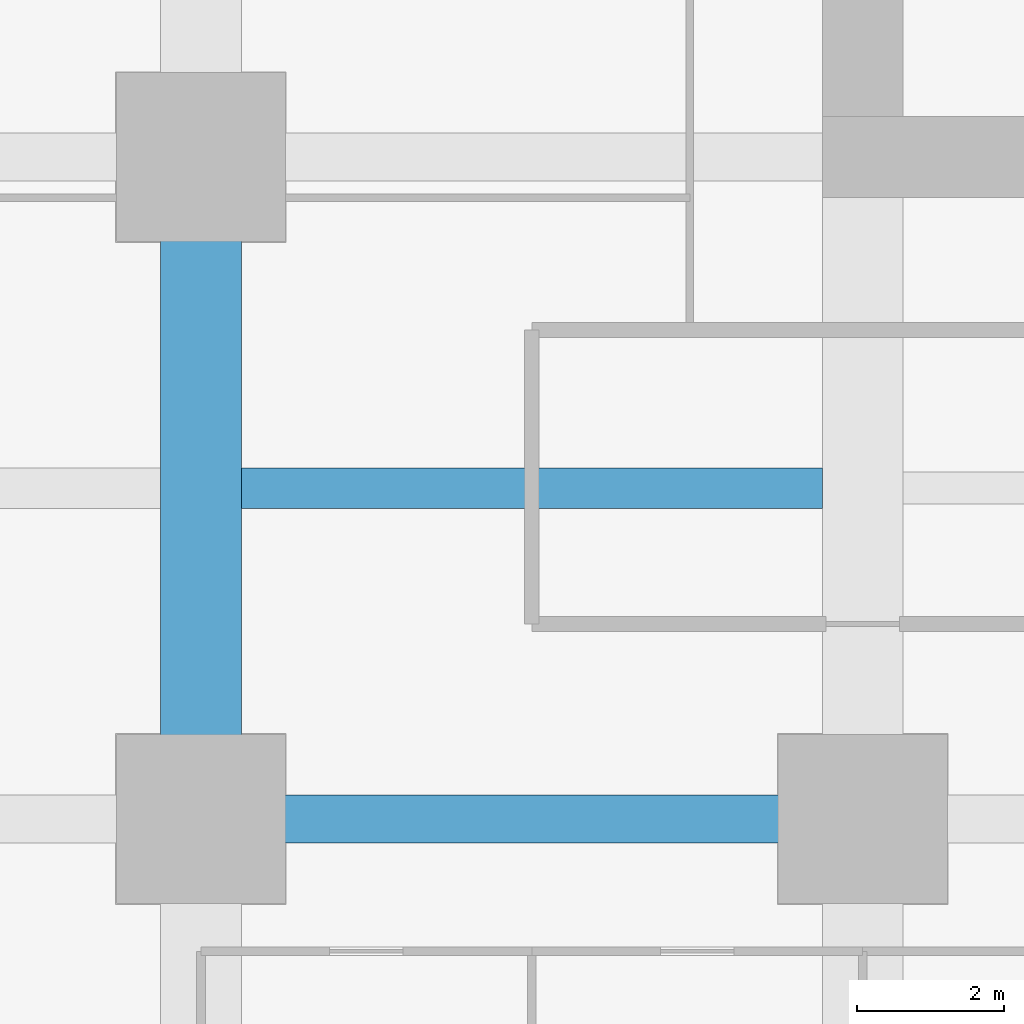
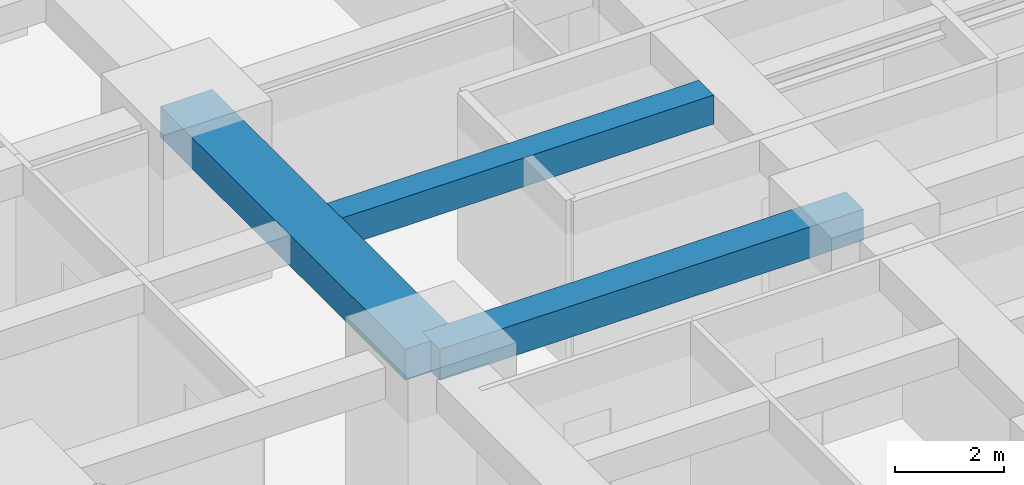
# One storey, part 5 of 44: 3 beams.
"""IFC4 building model written with IfcOpenShell, lengths in metres."""

from ifc_helpers import new_model, si_unit, direction, frame, origin, origin_2d, place, context, subcontext, project, spatial, rectangle, extrude, material, material_profile, profile_set, type_object, element, save


model = new_model("IFC4")

# Units and contexts
model_context = context("Model", 3, precision=1e-05, world=origin(), true_north=direction((0.0, 1.0)))
body_context = subcontext(model_context, "Body", "Model", "MODEL_VIEW")
ifc_project = project(units=[si_unit("LENGTHUNIT", "METRE"), si_unit("AREAUNIT", "SQUARE_METRE"), si_unit("VOLUMEUNIT", "CUBIC_METRE"), si_unit("PLANEANGLEUNIT", "RADIAN"), si_unit("MASSUNIT", "GRAM", prefix="KILO")], contexts=[model_context])

# Site, building, storey
site_placement = place(None, origin())
site = spatial("IfcSite", under=ifc_project, at=site_placement, CompositionType="ELEMENT")
building_placement = place(site_placement, origin())
building = spatial("IfcBuilding", under=site, at=building_placement, Name="Zorevar Civic Tower", CompositionType="ELEMENT")
storey_placement = place(building_placement, frame((0.0, 0.0, 35.800048828125)))
storey = spatial("IfcBuildingStorey", under=building, at=storey_placement, Name="L08", CompositionType="ELEMENT", Elevation=35.800048828125)

# Beams
ifc_material_1 = material(Name="Concrete C50/60", Category="concrete")
ifc_material_profile_1 = material_profile(ifc_material_1, rectangle(XDim=1.10009765625, YDim=0.699951171875, at=origin_2d()), Name="RC 1100x700")
ifc_profile_set_1 = profile_set([ifc_material_profile_1], Name="Concrete C50/60")
beam_type_1 = type_object("IfcBeamType", Name="Beam RC 1100x700", PredefinedType="BEAM", material=ifc_profile_set_1)
beam_1_placement = place(storey_placement, frame((9.0, 9.0, 3.39990234375), z_axis=(0.0, 1.0, 0.0), x_axis=(-1.0, 0.0, 0.0)))
element("IfcBeam", 1, at=beam_1_placement, inside=storey, type_object=beam_type_1, Name="Girder L09", PredefinedType="BEAM", context=body_context, shape_type="SweptSolid", body=[
    extrude(rectangle(XDim=1.10009765625, YDim=0.699951171875, at=origin_2d()), origin(), (0.0, 0.0, 1.0), 9.0),
])
ifc_material_2 = material(Name="Concrete C50/60", Category="concrete")
ifc_material_profile_2 = material_profile(ifc_material_2, rectangle(XDim=0.550048828125, YDim=0.64990234375, at=origin_2d()), Name="RC 550x650")
ifc_profile_set_2 = profile_set([ifc_material_profile_2], Name="Concrete C50/60")
beam_type_2 = type_object("IfcBeamType", Name="Beam RC 550x650", PredefinedType="BEAM", material=ifc_profile_set_2)
beam_2_placement = place(storey_placement, frame((9.550048828125, 13.5, 3.425048828125), z_axis=(1.0, 0.0, 0.0), x_axis=(0.0, 1.0, 0.0)))
element("IfcBeam", 2, at=beam_2_placement, inside=storey, type_object=beam_type_2, Name="Secondary beam L09", PredefinedType="BEAM", context=body_context, shape_type="SweptSolid", body=[
    extrude(rectangle(XDim=0.550048828125, YDim=0.64990234375, at=origin_2d()), origin(), (0.0, 0.0, 1.0), 7.89990234375),
])
ifc_material_3 = material(Name="Concrete C50/60", Category="concrete")
ifc_material_profile_3 = material_profile(ifc_material_3, rectangle(XDim=0.64990234375, YDim=0.699951171875, at=origin_2d()), Name="RC 650x700")
ifc_profile_set_3 = profile_set([ifc_material_profile_3], Name="Concrete C50/60")
beam_type_3 = type_object("IfcBeamType", Name="Beam RC 650x700", PredefinedType="BEAM", material=ifc_profile_set_3)
beam_3_placement = place(storey_placement, frame((9.0, 9.0, 3.39990234375), z_axis=(1.0, 0.0, 0.0), x_axis=(0.0, 1.0, 0.0)))
element("IfcBeam", 3, at=beam_3_placement, inside=storey, type_object=beam_type_3, Name="Girder L09", PredefinedType="BEAM", context=body_context, shape_type="SweptSolid", body=[
    extrude(rectangle(XDim=0.64990234375, YDim=0.699951171875, at=origin_2d()), origin(), (0.0, 0.0, 1.0), 9.0),
])

save(model, "model.ifc")
